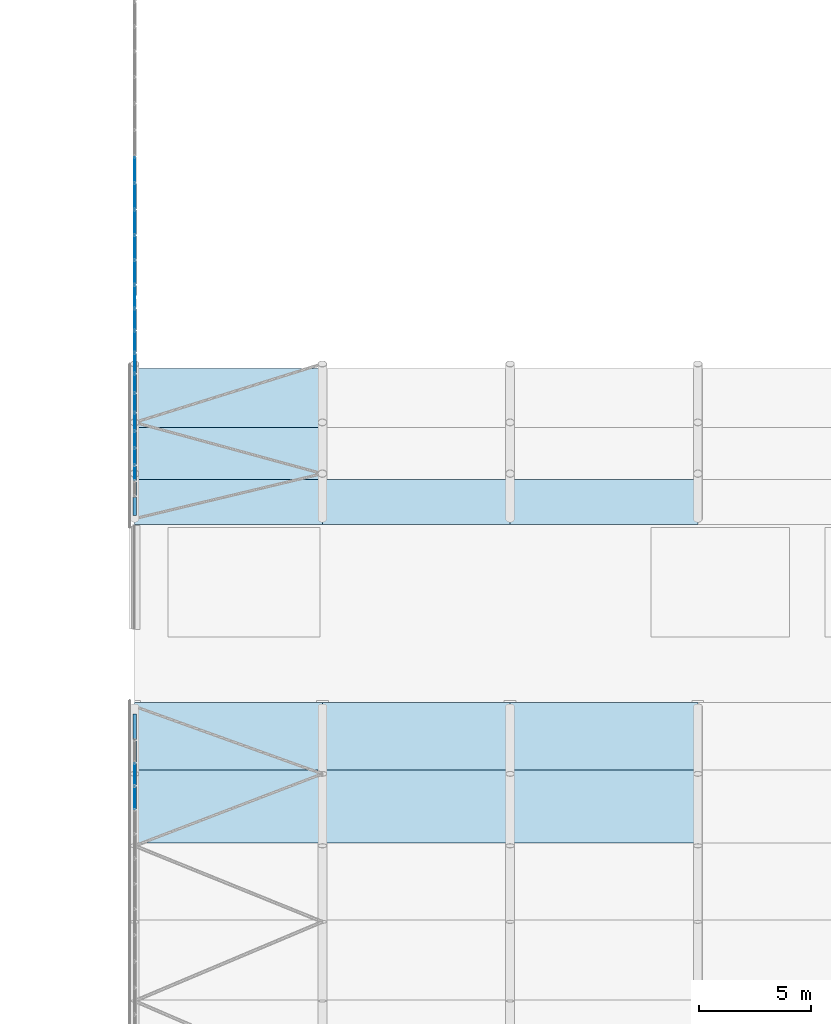
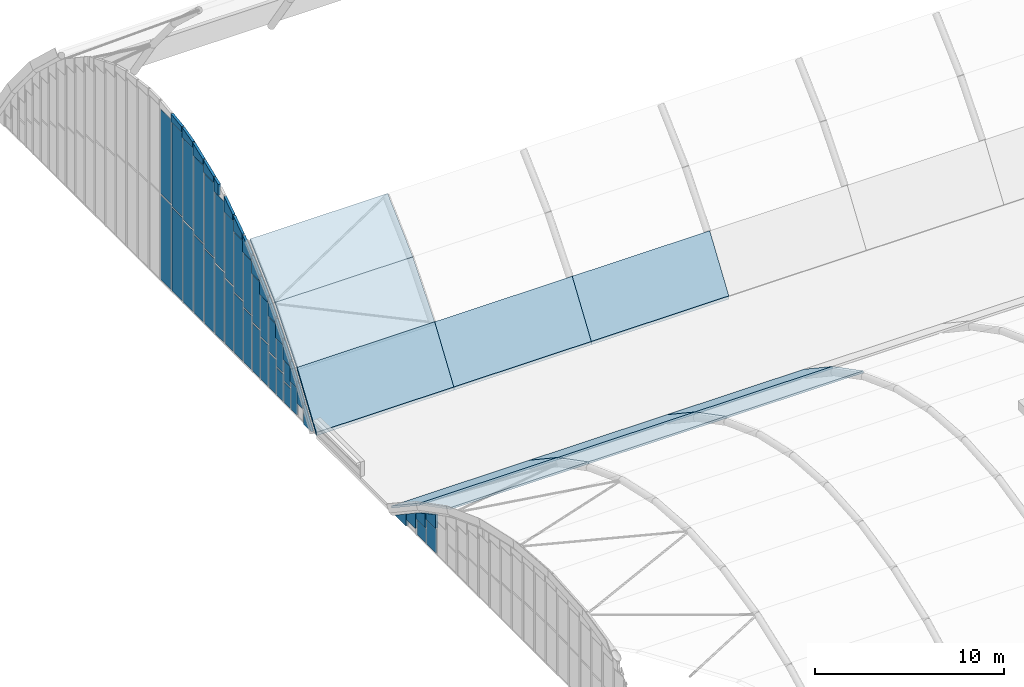
# One storey, part 54 of 77: 51 plates, 11 slabs, 2 elements without a shape of their own.
"""IFC4 building model written with IfcOpenShell, lengths in metres."""

from ifc_helpers import new_model, si_unit, direction, frame, origin, origin_2d, place, context, subcontext, project, spatial, polyline, rectangle, outline, extrude, material, layer, layer_set, type_object, element, aggregate, save


model = new_model("IFC4")

# Units and contexts
model_context = context("Model", 3, precision=1e-05, world=origin(), true_north=direction((0.0, 1.0)))
body_context = subcontext(model_context, "Body", "Model", "MODEL_VIEW")
ifc_project = project(units=[si_unit("LENGTHUNIT", "METRE"), si_unit("AREAUNIT", "SQUARE_METRE"), si_unit("VOLUMEUNIT", "CUBIC_METRE"), si_unit("PLANEANGLEUNIT", "RADIAN"), si_unit("MASSUNIT", "GRAM", prefix="KILO")], contexts=[model_context])

# Site, building, storey
site_placement = place(None, origin())
site = spatial("IfcSite", under=ifc_project, at=site_placement, CompositionType="ELEMENT")
building_placement = place(site_placement, origin())
building = spatial("IfcBuilding", under=site, at=building_placement, Name="Catenary Quay Ferry Terminal", CompositionType="ELEMENT")
storey_placement = place(building_placement, frame((0.0, 0.0, 10.800048828125)))
storey = spatial("IfcBuildingStorey", under=building, at=storey_placement, Name="L02", CompositionType="ELEMENT", Elevation=10.800048828125)

# Curtain wall, plates
ifc_material_1 = material(Name="Aluminium and glass", Category="aluminium")
curtain_wall_type = type_object("IfcCurtainWallType", Name="CWA", PredefinedType="NOTDEFINED", material=ifc_material_1)
curtain_wall_1_placement = place(storey_placement, origin())
curtain_wall_1 = element("IfcCurtainWall", 1, at=curtain_wall_1_placement, inside=storey, type_object=curtain_wall_type, Name="Arch arrivals hall curtain wall CW5", PredefinedType="NOTDEFINED")
ifc_material_2 = material(Name="Glass", Category="glass")
ifc_layer_1 = layer(ifc_material_2, 0.035888671875)
ifc_layer_set_1 = layer_set([ifc_layer_1], Name="PN4")
plate_type_1 = type_object("IfcPlateType", Name="PN4", PredefinedType="CURTAIN_PANEL", material=ifc_layer_set_1)
plate_1_placement = place(storey_placement, frame((25.199951171875, 96.708740234375, 0.10009765625), z_axis=(0.0, 0.0, 1.0), x_axis=(0.0, 1.0, 0.0)))
plate_1 = element("IfcPlate", 2, at=plate_1_placement, type_object=plate_type_1, Name="CW5 panel 25.1", PredefinedType="CURTAIN_PANEL", context=body_context, shape_type="SweptSolid", body=[
    extrude(rectangle(XDim=1.013427734375, YDim=0.035888671875, at=origin_2d()), origin(), (0.0, 0.0, 1.0), 1.531494140625),
])
plate_2_placement = place(storey_placement, frame((25.199951171875, 97.76513671875, 0.099853515625), z_axis=(0.0, 0.0, 1.0), x_axis=(0.0, 1.0, 0.0)))
plate_2 = element("IfcPlate", 3, at=plate_2_placement, type_object=plate_type_1, Name="CW5 panel 26.1", PredefinedType="CURTAIN_PANEL", context=body_context, shape_type="SweptSolid", body=[
    extrude(rectangle(XDim=0.979736328125, YDim=0.035888671875, at=origin_2d()), origin(), (0.0, 0.0, 1.0), 0.91748046875),
])

curtain_wall_2_placement = place(storey_placement, origin())
curtain_wall_2 = element("IfcCurtainWall", 4, at=curtain_wall_2_placement, inside=storey, type_object=curtain_wall_type, Name="Arch departure hall curtain wall CW17", PredefinedType="NOTDEFINED")
plate_3_placement = place(storey_placement, frame((25.199951171875, 111.238037109375, 0.099853515625), z_axis=(0.0, 0.0, 1.0), x_axis=(0.0, 1.0, 0.0)))
plate_3 = element("IfcPlate", 5, at=plate_3_placement, type_object=plate_type_1, Name="CW17 panel 2.1", PredefinedType="CURTAIN_PANEL", context=body_context, shape_type="SweptSolid", body=[
    extrude(rectangle(XDim=0.65771484375, YDim=0.035888671875, at=origin_2d()), origin(), (0.0, 0.0, 1.0), 1.7158203125),
])
plate_4_placement = place(storey_placement, frame((25.199951171875, 111.97900390625, 0.10009765625), z_axis=(0.0, 0.0, 1.0), x_axis=(0.0, 1.0, 0.0)))
plate_4 = element("IfcPlate", 6, at=plate_4_placement, type_object=plate_type_1, Name="CW17 panel 3.1", PredefinedType="CURTAIN_PANEL", context=body_context, shape_type="SweptSolid", body=[
    extrude(rectangle(XDim=0.7041015625, YDim=0.035888671875, at=origin_2d()), origin(), (0.0, 0.0, 1.0), 1.285888671875),
])
plate_5_placement = place(storey_placement, frame((25.199951171875, 111.97900390625, 1.48583984375), z_axis=(0.0, 0.0, 1.0), x_axis=(0.0, 1.0, 0.0)))
plate_5 = element("IfcPlate", 7, at=plate_5_placement, type_object=plate_type_1, Name="CW17 panel 3.2", PredefinedType="CURTAIN_PANEL", context=body_context, shape_type="SweptSolid", body=[
    extrude(rectangle(XDim=0.7041015625, YDim=0.035888671875, at=origin_2d()), origin(), (0.0, 0.0, 1.0), 1.285888671875),
])
plate_6_placement = place(storey_placement, frame((25.199951171875, 112.742919921875, 0.099853515625), z_axis=(0.0, 0.0, 1.0), x_axis=(0.0, 1.0, 0.0)))
plate_6 = element("IfcPlate", 8, at=plate_6_placement, type_object=plate_type_1, Name="CW17 panel 4.1", PredefinedType="CURTAIN_PANEL", context=body_context, shape_type="SweptSolid", body=[
    extrude(rectangle(XDim=0.7041015625, YDim=0.035888671875, at=origin_2d()), origin(), (0.0, 0.0, 1.0), 1.74658203125),
])
plate_7_placement = place(storey_placement, frame((25.199951171875, 112.742919921875, 1.9462890625), z_axis=(0.0, 0.0, 1.0), x_axis=(0.0, 1.0, 0.0)))
plate_7 = element("IfcPlate", 9, at=plate_7_placement, type_object=plate_type_1, Name="CW17 panel 4.2", PredefinedType="CURTAIN_PANEL", context=body_context, shape_type="SweptSolid", body=[
    extrude(rectangle(XDim=0.7041015625, YDim=0.035888671875, at=origin_2d()), origin(), (0.0, 0.0, 1.0), 1.74658203125),
])
plate_8_placement = place(storey_placement, frame((25.199951171875, 113.5341796875, 0.10009765625), z_axis=(0.0, 0.0, 1.0), x_axis=(0.0, 1.0, 0.0)))
plate_8 = element("IfcPlate", 10, at=plate_8_placement, type_object=plate_type_1, Name="CW17 panel 5.1", PredefinedType="CURTAIN_PANEL", context=body_context, shape_type="SweptSolid", body=[
    extrude(rectangle(XDim=0.758544921875, YDim=0.035888671875, at=origin_2d()), origin(), (0.0, 0.0, 1.0), 2.207275390625),
])
plate_9_placement = place(storey_placement, frame((25.199951171875, 113.5341796875, 2.4072265625), z_axis=(0.0, 0.0, 1.0), x_axis=(0.0, 1.0, 0.0)))
plate_9 = element("IfcPlate", 11, at=plate_9_placement, type_object=plate_type_1, Name="CW17 panel 5.2", PredefinedType="CURTAIN_PANEL", context=body_context, shape_type="SweptSolid", body=[
    extrude(rectangle(XDim=0.758544921875, YDim=0.035888671875, at=origin_2d()), origin(), (0.0, 0.0, 1.0), 2.207275390625),
])
plate_10_placement = place(storey_placement, frame((25.199951171875, 114.3798828125, 0.099853515625), z_axis=(0.0, 0.0, 1.0), x_axis=(0.0, 1.0, 0.0)))
plate_10 = element("IfcPlate", 12, at=plate_10_placement, type_object=plate_type_1, Name="CW17 panel 6.1", PredefinedType="CURTAIN_PANEL", context=body_context, shape_type="SweptSolid", body=[
    extrude(rectangle(XDim=0.81298828125, YDim=0.035888671875, at=origin_2d()), origin(), (0.0, 0.0, 1.0), 2.64208984375),
])
plate_11_placement = place(storey_placement, frame((25.199951171875, 114.3798828125, 2.842041015625), z_axis=(0.0, 0.0, 1.0), x_axis=(0.0, 1.0, 0.0)))
plate_11 = element("IfcPlate", 13, at=plate_11_placement, type_object=plate_type_1, Name="CW17 panel 6.2", PredefinedType="CURTAIN_PANEL", context=body_context, shape_type="SweptSolid", body=[
    extrude(rectangle(XDim=0.81298828125, YDim=0.035888671875, at=origin_2d()), origin(), (0.0, 0.0, 1.0), 2.64208984375),
])
plate_12_placement = place(storey_placement, frame((25.199951171875, 115.2529296875, 0.099853515625), z_axis=(0.0, 0.0, 1.0), x_axis=(0.0, 1.0, 0.0)))
plate_12 = element("IfcPlate", 14, at=plate_12_placement, type_object=plate_type_1, Name="CW17 panel 7.1", PredefinedType="CURTAIN_PANEL", context=body_context, shape_type="SweptSolid", body=[
    extrude(rectangle(XDim=0.81298828125, YDim=0.035888671875, at=origin_2d()), origin(), (0.0, 0.0, 1.0), 3.05126953125),
])
plate_13_placement = place(storey_placement, frame((25.199951171875, 115.2529296875, 3.251220703125), z_axis=(0.0, 0.0, 1.0), x_axis=(0.0, 1.0, 0.0)))
plate_13 = element("IfcPlate", 15, at=plate_13_placement, type_object=plate_type_1, Name="CW17 panel 7.2", PredefinedType="CURTAIN_PANEL", context=body_context, shape_type="SweptSolid", body=[
    extrude(rectangle(XDim=0.81298828125, YDim=0.035888671875, at=origin_2d()), origin(), (0.0, 0.0, 1.0), 3.05126953125),
])
plate_14_placement = place(storey_placement, frame((25.199951171875, 116.156494140625, 0.099853515625), z_axis=(0.0, 0.0, 1.0), x_axis=(0.0, 1.0, 0.0)))
plate_14 = element("IfcPlate", 16, at=plate_14_placement, type_object=plate_type_1, Name="CW17 panel 8.1", PredefinedType="CURTAIN_PANEL", context=body_context, shape_type="SweptSolid", body=[
    extrude(rectangle(XDim=0.873779296875, YDim=0.035888671875, at=origin_2d()), origin(), (0.0, 0.0, 1.0), 3.46044921875),
])
plate_15_placement = place(storey_placement, frame((25.199951171875, 116.156494140625, 3.660400390625), z_axis=(0.0, 0.0, 1.0), x_axis=(0.0, 1.0, 0.0)))
plate_15 = element("IfcPlate", 17, at=plate_15_placement, type_object=plate_type_1, Name="CW17 panel 8.2", PredefinedType="CURTAIN_PANEL", context=body_context, shape_type="SweptSolid", body=[
    extrude(rectangle(XDim=0.873779296875, YDim=0.035888671875, at=origin_2d()), origin(), (0.0, 0.0, 1.0), 3.46044921875),
])
plate_16_placement = place(storey_placement, frame((25.199951171875, 117.12060546875, 0.10009765625), z_axis=(0.0, 0.0, 1.0), x_axis=(0.0, 1.0, 0.0)))
plate_16 = element("IfcPlate", 18, at=plate_16_placement, type_object=plate_type_1, Name="CW17 panel 9.1", PredefinedType="CURTAIN_PANEL", context=body_context, shape_type="SweptSolid", body=[
    extrude(rectangle(XDim=0.9345703125, YDim=0.035888671875, at=origin_2d()), origin(), (0.0, 0.0, 1.0), 3.831298828125),
])
plate_17_placement = place(storey_placement, frame((25.199951171875, 117.12060546875, 4.03125), z_axis=(0.0, 0.0, 1.0), x_axis=(0.0, 1.0, 0.0)))
plate_17 = element("IfcPlate", 19, at=plate_17_placement, type_object=plate_type_1, Name="CW17 panel 9.2", PredefinedType="CURTAIN_PANEL", context=body_context, shape_type="SweptSolid", body=[
    extrude(rectangle(XDim=0.9345703125, YDim=0.035888671875, at=origin_2d()), origin(), (0.0, 0.0, 1.0), 3.831298828125),
])
plate_18_placement = place(storey_placement, frame((25.199951171875, 118.115234375, 0.10009765625), z_axis=(0.0, 0.0, 1.0), x_axis=(0.0, 1.0, 0.0)))
plate_18 = element("IfcPlate", 20, at=plate_18_placement, type_object=plate_type_1, Name="CW17 panel 10.1", PredefinedType="CURTAIN_PANEL", context=body_context, shape_type="SweptSolid", body=[
    extrude(rectangle(XDim=0.9345703125, YDim=0.035888671875, at=origin_2d()), origin(), (0.0, 0.0, 1.0), 4.164306640625),
])
plate_19_placement = place(storey_placement, frame((25.199951171875, 118.115234375, 4.3642578125), z_axis=(0.0, 0.0, 1.0), x_axis=(0.0, 1.0, 0.0)))
plate_19 = element("IfcPlate", 21, at=plate_19_placement, type_object=plate_type_1, Name="CW17 panel 10.2", PredefinedType="CURTAIN_PANEL", context=body_context, shape_type="SweptSolid", body=[
    extrude(rectangle(XDim=0.9345703125, YDim=0.035888671875, at=origin_2d()), origin(), (0.0, 0.0, 1.0), 4.164306640625),
])
plate_20_placement = place(storey_placement, frame((25.199951171875, 119.138916015625, 0.099853515625), z_axis=(0.0, 0.0, 1.0), x_axis=(0.0, 1.0, 0.0)))
plate_20 = element("IfcPlate", 22, at=plate_20_placement, type_object=plate_type_1, Name="CW17 panel 11.1", PredefinedType="CURTAIN_PANEL", context=body_context, shape_type="SweptSolid", body=[
    extrude(rectangle(XDim=0.992431640625, YDim=0.035888671875, at=origin_2d()), origin(), (0.0, 0.0, 1.0), 4.4970703125),
])
plate_21_placement = place(storey_placement, frame((25.199951171875, 119.138916015625, 4.697021484375), z_axis=(0.0, 0.0, 1.0), x_axis=(0.0, 1.0, 0.0)))
plate_21 = element("IfcPlate", 23, at=plate_21_placement, type_object=plate_type_1, Name="CW17 panel 11.2", PredefinedType="CURTAIN_PANEL", context=body_context, shape_type="SweptSolid", body=[
    extrude(rectangle(XDim=0.992431640625, YDim=0.035888671875, at=origin_2d()), origin(), (0.0, 0.0, 1.0), 4.4970703125),
])
plate_22_placement = place(storey_placement, frame((25.199951171875, 120.22021484375, 0.099853515625), z_axis=(0.0, 0.0, 1.0), x_axis=(0.0, 1.0, 0.0)))
plate_22 = element("IfcPlate", 24, at=plate_22_placement, type_object=plate_type_1, Name="CW17 panel 12.1", PredefinedType="CURTAIN_PANEL", context=body_context, shape_type="SweptSolid", body=[
    extrude(rectangle(XDim=1.05029296875, YDim=0.035888671875, at=origin_2d()), origin(), (0.0, 0.0, 1.0), 4.77490234375),
])
plate_23_placement = place(storey_placement, frame((25.199951171875, 120.22021484375, 4.974853515625), z_axis=(0.0, 0.0, 1.0), x_axis=(0.0, 1.0, 0.0)))
plate_23 = element("IfcPlate", 25, at=plate_23_placement, type_object=plate_type_1, Name="CW17 panel 12.2", PredefinedType="CURTAIN_PANEL", context=body_context, shape_type="SweptSolid", body=[
    extrude(rectangle(XDim=1.05029296875, YDim=0.035888671875, at=origin_2d()), origin(), (0.0, 0.0, 1.0), 4.77490234375),
])
plate_24_placement = place(storey_placement, frame((25.199951171875, 121.33056640625, 0.10009765625), z_axis=(0.0, 0.0, 1.0), x_axis=(0.0, 1.0, 0.0)))
plate_24 = element("IfcPlate", 26, at=plate_24_placement, type_object=plate_type_1, Name="CW17 panel 13.1", PredefinedType="CURTAIN_PANEL", context=body_context, shape_type="SweptSolid", body=[
    extrude(rectangle(XDim=1.05029296875, YDim=0.035888671875, at=origin_2d()), origin(), (0.0, 0.0, 1.0), 4.997802734375),
])
plate_25_placement = place(storey_placement, frame((25.199951171875, 121.33056640625, 5.19775390625), z_axis=(0.0, 0.0, 1.0), x_axis=(0.0, 1.0, 0.0)))
plate_25 = element("IfcPlate", 27, at=plate_25_placement, type_object=plate_type_1, Name="CW17 panel 13.2", PredefinedType="CURTAIN_PANEL", context=body_context, shape_type="SweptSolid", body=[
    extrude(rectangle(XDim=1.05029296875, YDim=0.035888671875, at=origin_2d()), origin(), (0.0, 0.0, 1.0), 4.997802734375),
])
plate_26_placement = place(storey_placement, frame((25.199951171875, 122.4599609375, 0.099853515625), z_axis=(0.0, 0.0, 1.0), x_axis=(0.0, 1.0, 0.0)))
plate_26 = element("IfcPlate", 28, at=plate_26_placement, type_object=plate_type_1, Name="CW17 panel 14.1", PredefinedType="CURTAIN_PANEL", context=body_context, shape_type="SweptSolid", body=[
    extrude(rectangle(XDim=1.08837890625, YDim=0.035888671875, at=origin_2d()), origin(), (0.0, 0.0, 1.0), 5.220703125),
])
plate_27_placement = place(storey_placement, frame((25.199951171875, 122.4599609375, 5.42041015625), z_axis=(0.0, 0.0, 1.0), x_axis=(0.0, 1.0, 0.0)))
plate_27 = element("IfcPlate", 29, at=plate_27_placement, type_object=plate_type_1, Name="CW17 panel 14.2", PredefinedType="CURTAIN_PANEL", context=body_context, shape_type="SweptSolid", body=[
    extrude(rectangle(XDim=1.08837890625, YDim=0.035888671875, at=origin_2d()), origin(), (0.0, 0.0, 1.0), 5.220703125),
])
plate_28_placement = place(storey_placement, frame((25.199951171875, 123.62744140625, 0.10009765625), z_axis=(0.0, 0.0, 1.0), x_axis=(0.0, 1.0, 0.0)))
plate_28 = element("IfcPlate", 30, at=plate_28_placement, type_object=plate_type_1, Name="CW17 panel 15.1", PredefinedType="CURTAIN_PANEL", context=body_context, shape_type="SweptSolid", body=[
    extrude(rectangle(XDim=1.126220703125, YDim=0.035888671875, at=origin_2d()), origin(), (0.0, 0.0, 1.0), 5.37158203125),
])
plate_29_placement = place(storey_placement, frame((25.199951171875, 123.62744140625, 5.57177734375), z_axis=(0.0, 0.0, 1.0), x_axis=(0.0, 1.0, 0.0)))
plate_29 = element("IfcPlate", 31, at=plate_29_placement, type_object=plate_type_1, Name="CW17 panel 15.2", PredefinedType="CURTAIN_PANEL", context=body_context, shape_type="SweptSolid", body=[
    extrude(rectangle(XDim=1.126220703125, YDim=0.035888671875, at=origin_2d()), origin(), (0.0, 0.0, 1.0), 5.37158203125),
])
plate_30_placement = place(storey_placement, frame((25.199951171875, 124.813720703125, 0.10009765625), z_axis=(0.0, 0.0, 1.0), x_axis=(0.0, 1.0, 0.0)))
plate_30 = element("IfcPlate", 32, at=plate_30_placement, type_object=plate_type_1, Name="CW17 panel 16.1", PredefinedType="CURTAIN_PANEL", context=body_context, shape_type="SweptSolid", body=[
    extrude(rectangle(XDim=1.126220703125, YDim=0.035888671875, at=origin_2d()), origin(), (0.0, 0.0, 1.0), 5.450927734375),
])
plate_31_placement = place(storey_placement, frame((25.199951171875, 124.813720703125, 5.65087890625), z_axis=(0.0, 0.0, 1.0), x_axis=(0.0, 1.0, 0.0)))
plate_31 = element("IfcPlate", 33, at=plate_31_placement, type_object=plate_type_1, Name="CW17 panel 16.2", PredefinedType="CURTAIN_PANEL", context=body_context, shape_type="SweptSolid", body=[
    extrude(rectangle(XDim=1.126220703125, YDim=0.035888671875, at=origin_2d()), origin(), (0.0, 0.0, 1.0), 5.450927734375),
])

# Plate
ifc_material_3 = material(Name="Ceramic tile facing on insulated backing")
ifc_layer_2 = layer(ifc_material_3, 0.14990234375)
ifc_layer_set_2 = layer_set([ifc_layer_2], Name="PN7")
plate_type_2 = type_object("IfcPlateType", Name="PN7", PredefinedType="CURTAIN_PANEL", material=ifc_layer_set_2)
plate_32_placement = place(storey_placement, frame((25.199951171875, 96.201904296875, 1.7314453125), z_axis=(0.0, 0.0, 1.0), x_axis=(0.0, 1.0, 0.0)))
plate_32 = element("IfcPlate", 34, at=plate_32_placement, type_object=plate_type_2, Name="CW5 spandrel panel 28", PredefinedType="CURTAIN_PANEL", context=body_context, shape_type="SweptSolid", body=[
    extrude(outline(polyline([(0.0, 0.0), (1.013427734375, 0.0), (1.013427734375, 0.35546875), (0.0, 0.88134765625), (0.0, 0.0)])), frame((0.0, 0.074951171875, 0.0), z_axis=(0.0, -1.0, 0.0), x_axis=(1.0, 0.0, 0.0)), (0.0, 0.0, 1.0), 0.14990234375),
])

plate_33_placement = place(storey_placement, frame((25.199951171875, 97.275390625, 1.117431640625), z_axis=(0.0, 0.0, 1.0), x_axis=(0.0, 1.0, 0.0)))
plate_33 = element("IfcPlate", 35, at=plate_33_placement, type_object=plate_type_2, Name="CW5 spandrel panel 29", PredefinedType="CURTAIN_PANEL", context=body_context, shape_type="SweptSolid", body=[
    extrude(outline(polyline([(0.0, 0.0), (0.979736328125, 0.0), (0.979736328125, 0.360107421875), (0.0, 0.9384765625), (0.0, 0.0)])), frame((0.0, 0.074951171875, 0.0), z_axis=(0.0, -1.0, 0.0), x_axis=(1.0, 0.0, 0.0)), (0.0, 0.0, 1.0), 0.14990234375),
])

plate_34_placement = place(storey_placement, frame((25.199951171875, 98.31494140625, 0.446533203125), z_axis=(0.0, 0.0, 1.0), x_axis=(0.0, 1.0, 0.0)))
plate_34 = element("IfcPlate", 36, at=plate_34_placement, type_object=plate_type_2, Name="CW5 spandrel panel 30", PredefinedType="CURTAIN_PANEL", context=body_context, shape_type="SweptSolid", body=[
    extrude(outline(polyline([(0.0, 0.0), (0.946044921875, 0.0), (0.946044921875, 0.35986328125), (0.0, 0.990966796875), (0.0, 0.0)])), frame((0.0, 0.074951171875, 0.0), z_axis=(0.0, -1.0, 0.0), x_axis=(1.0, 0.0, 0.0)), (0.0, 0.0, 1.0), 0.14990234375),
])

plate_35_placement = place(storey_placement, frame((25.199951171875, 99.321044921875, 0.0), z_axis=(0.0, 0.0, 1.0), x_axis=(0.0, 1.0, 0.0)))
plate_35 = element("IfcPlate", 37, at=plate_35_placement, type_object=plate_type_2, Name="CW5 spandrel panel 31", PredefinedType="CURTAIN_PANEL", context=body_context, shape_type="SweptSolid", body=[
    extrude(outline(polyline([(0.0, 0.0), (1.47900390625, 0.0), (1.47900390625, -0.219970703125), (0.0, 0.766357421875), (0.0, 0.0)])), frame((0.0, 0.074951171875, 0.0), z_axis=(0.0, -1.0, 0.0), x_axis=(1.0, 0.0, 0.0)), (0.0, 0.0, 1.0), 0.14990234375),
])

aggregate(curtain_wall_1, [plate_1, plate_32, plate_2, plate_33, plate_34, plate_35])

plate_36_placement = place(storey_placement, frame((25.199951171875, 109.34912109375, 0.0), z_axis=(0.0, 0.0, 1.0), x_axis=(0.0, 1.0, 0.0)))
plate_36 = element("IfcPlate", 38, at=plate_36_placement, type_object=plate_type_2, Name="CW17 spandrel panel 1", PredefinedType="CURTAIN_PANEL", context=body_context, shape_type="SweptSolid", body=[
    extrude(outline(polyline([(0.0, 0.0), (0.828369140625, 0.0), (0.828369140625, 1.22119140625), (0.0, 0.0)])), frame((0.0, 0.074951171875, 0.0), z_axis=(0.0, -1.0, 0.0), x_axis=(1.0, 0.0, 0.0)), (0.0, 0.0, 1.0), 0.14990234375),
])

plate_37_placement = place(storey_placement, frame((25.199951171875, 110.237548828125, 0.925537109375), z_axis=(0.0, 0.0, 1.0), x_axis=(0.0, 1.0, 0.0)))
plate_37 = element("IfcPlate", 39, at=plate_37_placement, type_object=plate_type_2, Name="CW17 spandrel panel 2", PredefinedType="CURTAIN_PANEL", context=body_context, shape_type="SweptSolid", body=[
    extrude(outline(polyline([(0.0, 0.0), (0.611572265625, 0.0), (0.611572265625, 1.2861328125), (0.0, 0.384033203125), (0.0, 0.0)])), frame((0.0, 0.074951171875, 0.0), z_axis=(0.0, -1.0, 0.0), x_axis=(1.0, 0.0, 0.0)), (0.0, 0.0, 1.0), 0.14990234375),
])

plate_38_placement = place(storey_placement, frame((25.199951171875, 110.9091796875, 1.915771484375), z_axis=(0.0, 0.0, 1.0), x_axis=(0.0, 1.0, 0.0)))
plate_38 = element("IfcPlate", 40, at=plate_38_placement, type_object=plate_type_2, Name="CW17 spandrel panel 3", PredefinedType="CURTAIN_PANEL", context=body_context, shape_type="SweptSolid", body=[
    extrude(outline(polyline([(0.0, 0.0), (0.65771484375, 0.0), (0.65771484375, 1.259765625), (0.0, 0.38427734375), (0.0, 0.0)])), frame((0.0, 0.074951171875, 0.0), z_axis=(0.0, -1.0, 0.0), x_axis=(1.0, 0.0, 0.0)), (0.0, 0.0, 1.0), 0.14990234375),
])

plate_39_placement = place(storey_placement, frame((25.199951171875, 111.626953125, 2.87158203125), z_axis=(0.0, 0.0, 1.0), x_axis=(0.0, 1.0, 0.0)))
plate_39 = element("IfcPlate", 41, at=plate_39_placement, type_object=plate_type_2, Name="CW17 spandrel panel 4", PredefinedType="CURTAIN_PANEL", context=body_context, shape_type="SweptSolid", body=[
    extrude(outline(polyline([(0.0, 0.0), (0.7041015625, 0.0), (0.7041015625, 1.22509765625), (0.0, 0.376220703125), (0.0, 0.0)])), frame((0.0, 0.074951171875, 0.0), z_axis=(0.0, -1.0, 0.0), x_axis=(1.0, 0.0, 0.0)), (0.0, 0.0, 1.0), 0.14990234375),
])

plate_40_placement = place(storey_placement, frame((25.199951171875, 112.39111328125, 3.79296875), z_axis=(0.0, 0.0, 1.0), x_axis=(0.0, 1.0, 0.0)))
plate_40 = element("IfcPlate", 42, at=plate_40_placement, type_object=plate_type_2, Name="CW17 spandrel panel 5", PredefinedType="CURTAIN_PANEL", context=body_context, shape_type="SweptSolid", body=[
    extrude(outline(polyline([(0.0, 0.0), (0.7041015625, 0.0), (0.7041015625, 1.22509765625), (0.0, 0.376220703125), (0.0, 0.0)])), frame((0.0, 0.074951171875, 0.0), z_axis=(0.0, -1.0, 0.0), x_axis=(1.0, 0.0, 0.0)), (0.0, 0.0, 1.0), 0.14990234375),
])

plate_41_placement = place(storey_placement, frame((25.199951171875, 113.155029296875, 4.71435546875), z_axis=(0.0, 0.0, 1.0), x_axis=(0.0, 1.0, 0.0)))
plate_41 = element("IfcPlate", 43, at=plate_41_placement, type_object=plate_type_2, Name="CW17 spandrel panel 6", PredefinedType="CURTAIN_PANEL", context=body_context, shape_type="SweptSolid", body=[
    extrude(outline(polyline([(0.0, 0.0), (0.758544921875, 0.0), (0.758544921875, 1.181640625), (0.0, 0.376220703125), (0.0, 0.0)])), frame((0.0, 0.074951171875, 0.0), z_axis=(0.0, -1.0, 0.0), x_axis=(1.0, 0.0, 0.0)), (0.0, 0.0, 1.0), 0.14990234375),
])

plate_42_placement = place(storey_placement, frame((25.199951171875, 113.973388671875, 5.584228515625), z_axis=(0.0, 0.0, 1.0), x_axis=(0.0, 1.0, 0.0)))
plate_42 = element("IfcPlate", 44, at=plate_42_placement, type_object=plate_type_2, Name="CW17 spandrel panel 7", PredefinedType="CURTAIN_PANEL", context=body_context, shape_type="SweptSolid", body=[
    extrude(outline(polyline([(0.0, 0.0), (0.81298828125, 0.0), (0.81298828125, 1.130126953125), (0.0, 0.367919921875), (0.0, 0.0)])), frame((0.0, 0.074951171875, 0.0), z_axis=(0.0, -1.0, 0.0), x_axis=(1.0, 0.0, 0.0)), (0.0, 0.0, 1.0), 0.14990234375),
])

plate_43_placement = place(storey_placement, frame((25.199951171875, 114.846435546875, 6.40234375), z_axis=(0.0, 0.0, 1.0), x_axis=(0.0, 1.0, 0.0)))
plate_43 = element("IfcPlate", 45, at=plate_43_placement, type_object=plate_type_2, Name="CW17 spandrel panel 8", PredefinedType="CURTAIN_PANEL", context=body_context, shape_type="SweptSolid", body=[
    extrude(outline(polyline([(0.0, 0.0), (0.81298828125, 0.0), (0.81298828125, 1.13037109375), (0.0, 0.3681640625), (0.0, 0.0)])), frame((0.0, 0.074951171875, 0.0), z_axis=(0.0, -1.0, 0.0), x_axis=(1.0, 0.0, 0.0)), (0.0, 0.0, 1.0), 0.14990234375),
])

plate_44_placement = place(storey_placement, frame((25.199951171875, 115.719482421875, 7.220703125), z_axis=(0.0, 0.0, 1.0), x_axis=(0.0, 1.0, 0.0)))
plate_44 = element("IfcPlate", 46, at=plate_44_placement, type_object=plate_type_2, Name="CW17 spandrel panel 9", PredefinedType="CURTAIN_PANEL", context=body_context, shape_type="SweptSolid", body=[
    extrude(outline(polyline([(0.0, 0.0), (0.873779296875, 0.0), (0.873779296875, 1.06201171875), (0.0, 0.3681640625), (0.0, 0.0)])), frame((0.0, 0.074951171875, 0.0), z_axis=(0.0, -1.0, 0.0), x_axis=(1.0, 0.0, 0.0)), (0.0, 0.0, 1.0), 0.14990234375),
])

plate_45_placement = place(storey_placement, frame((25.199951171875, 116.6533203125, 7.962890625), z_axis=(0.0, 0.0, 1.0), x_axis=(0.0, 1.0, 0.0)))
plate_45 = element("IfcPlate", 47, at=plate_45_placement, type_object=plate_type_2, Name="CW17 spandrel panel 10", PredefinedType="CURTAIN_PANEL", context=body_context, shape_type="SweptSolid", body=[
    extrude(outline(polyline([(0.0, 0.0), (0.9345703125, 0.0), (0.9345703125, 0.985595703125), (0.0, 0.35986328125), (0.0, 0.0)])), frame((0.0, 0.074951171875, 0.0), z_axis=(0.0, -1.0, 0.0), x_axis=(1.0, 0.0, 0.0)), (0.0, 0.0, 1.0), 0.14990234375),
])

plate_46_placement = place(storey_placement, frame((25.199951171875, 117.64794921875, 8.62841796875), z_axis=(0.0, 0.0, 1.0), x_axis=(0.0, 1.0, 0.0)))
plate_46 = element("IfcPlate", 48, at=plate_46_placement, type_object=plate_type_2, Name="CW17 spandrel panel 11", PredefinedType="CURTAIN_PANEL", context=body_context, shape_type="SweptSolid", body=[
    extrude(outline(polyline([(0.0, 0.0), (0.9345703125, 0.0), (0.9345703125, 0.985595703125), (0.0, 0.360107421875), (0.0, 0.0)])), frame((0.0, 0.074951171875, 0.0), z_axis=(0.0, -1.0, 0.0), x_axis=(1.0, 0.0, 0.0)), (0.0, 0.0, 1.0), 0.14990234375),
])

plate_47_placement = place(storey_placement, frame((25.199951171875, 119.18505859375, 9.294189453125), z_axis=(0.0, 0.0, 1.0), x_axis=(0.0, 1.0, 0.0)))
plate_47 = element("IfcPlate", 49, at=plate_47_placement, type_object=plate_type_2, Name="CW17 spandrel panel 13", PredefinedType="CURTAIN_PANEL", context=body_context, shape_type="SweptSolid", body=[
    extrude(outline(polyline([(0.0, 0.0), (0.4501953125, 0.0), (0.4501953125, 0.883544921875), (0.0, 0.702880859375), (0.0, 0.0)])), frame((0.0, 0.074951171875, 0.0), z_axis=(0.0, -1.0, 0.0), x_axis=(1.0, 0.0, 0.0)), (0.0, 0.0, 1.0), 0.14990234375),
])

plate_48_placement = place(storey_placement, frame((25.199951171875, 119.695068359375, 9.849853515625), z_axis=(0.0, 0.0, 1.0), x_axis=(0.0, 1.0, 0.0)))
plate_48 = element("IfcPlate", 50, at=plate_48_placement, type_object=plate_type_2, Name="CW17 spandrel panel 14", PredefinedType="CURTAIN_PANEL", context=body_context, shape_type="SweptSolid", body=[
    extrude(outline(polyline([(0.0, 0.0), (1.05029296875, 0.0), (1.05029296875, 0.7734375), (0.0, 0.35205078125), (0.0, 0.0)])), frame((0.0, 0.074951171875, 0.0), z_axis=(0.0, -1.0, 0.0), x_axis=(1.0, 0.0, 0.0)), (0.0, 0.0, 1.0), 0.14990234375),
])

plate_49_placement = place(storey_placement, frame((25.199951171875, 120.805419921875, 10.29541015625), z_axis=(0.0, 0.0, 1.0), x_axis=(0.0, 1.0, 0.0)))
plate_49 = element("IfcPlate", 51, at=plate_49_placement, type_object=plate_type_2, Name="CW17 spandrel panel 15", PredefinedType="CURTAIN_PANEL", context=body_context, shape_type="SweptSolid", body=[
    extrude(outline(polyline([(0.0, 0.0), (1.05029296875, 0.0), (1.05029296875, 0.773681640625), (0.0, 0.35205078125), (0.0, 0.0)])), frame((0.0, 0.074951171875, 0.0), z_axis=(0.0, -1.0, 0.0), x_axis=(1.0, 0.0, 0.0)), (0.0, 0.0, 1.0), 0.14990234375),
])

plate_50_placement = place(storey_placement, frame((25.199951171875, 121.915771484375, 10.7412109375), z_axis=(0.0, 0.0, 1.0), x_axis=(0.0, 1.0, 0.0)))
plate_50 = element("IfcPlate", 52, at=plate_50_placement, type_object=plate_type_2, Name="CW17 spandrel panel 16", PredefinedType="CURTAIN_PANEL", context=body_context, shape_type="SweptSolid", body=[
    extrude(outline(polyline([(0.0, 0.0), (1.08837890625, 0.0), (1.08837890625, 0.637939453125), (0.0, 0.35205078125), (0.0, 0.0)])), frame((0.0, 0.074951171875, 0.0), z_axis=(0.0, -1.0, 0.0), x_axis=(1.0, 0.0, 0.0)), (0.0, 0.0, 1.0), 0.14990234375),
])

plate_51_placement = place(storey_placement, frame((25.199951171875, 123.064208984375, 11.043212890625), z_axis=(0.0, 0.0, 1.0), x_axis=(0.0, 1.0, 0.0)))
plate_51 = element("IfcPlate", 53, at=plate_51_placement, type_object=plate_type_2, Name="CW17 spandrel panel 17", PredefinedType="CURTAIN_PANEL", context=body_context, shape_type="SweptSolid", body=[
    extrude(outline(polyline([(0.0, 0.0), (1.126220703125, 0.0), (1.126220703125, 0.49462890625), (0.0, 0.343994140625), (0.0, 0.0)])), frame((0.0, 0.074951171875, 0.0), z_axis=(0.0, -1.0, 0.0), x_axis=(1.0, 0.0, 0.0)), (0.0, 0.0, 1.0), 0.14990234375),
])

aggregate(curtain_wall_2, [plate_36, plate_37, plate_3, plate_38, plate_4, plate_5, plate_39, plate_6, plate_7, plate_40, plate_8, plate_9, plate_41, plate_10, plate_11, plate_42, plate_12, plate_13, plate_43, plate_14, plate_15, plate_44, plate_16, plate_17, plate_45, plate_18, plate_19, plate_46, plate_20, plate_21, plate_47, plate_22, plate_23, plate_48, plate_24, plate_25, plate_49, plate_26, plate_27, plate_50, plate_28, plate_29, plate_51, plate_30, plate_31])

# Slabs
ifc_material_4 = material(Name="Concrete C35/45", Category="concrete")
ifc_layer_3 = layer(ifc_material_4, 0.1201171875)
ifc_layer_set_3 = layer_set([ifc_layer_3], Name="Thin concrete shell roof slab C35/45 120")
slab_type = type_object("IfcSlabType", Name="Thin concrete shell roof slab C35/45 120", PredefinedType="ROOF", material=ifc_layer_set_3)
slab_1_placement = place(storey_placement, frame((25.199951171875, 108.9326171875, 0.181396484375), z_axis=(0.0, -0.827617329407, 0.561292754332), x_axis=(1.0, 0.0, 0.0)))
element("IfcSlab", 54, at=slab_1_placement, inside=storey, type_object=slab_type, Name="Roof shell panel VD-01-01", PredefinedType="ROOF", context=body_context, shape_type="SweptSolid", body=[
    extrude(outline(polyline([(0.0, 0.0), (8.400146484375, 0.0), (8.400146484375, 3.605394199381717), (0.0, 3.605394199381717), (0.0, 0.0)])), origin(), (0.0, -0.827617329407, -0.561292754332), 0.2138671875),
])
slab_2_placement = place(storey_placement, frame((25.199951171875, 110.956298828125, 3.165283203125), z_axis=(0.0, -0.769753119494, 0.638341707105), x_axis=(1.0, 0.0, 0.0)))
element("IfcSlab", 55, at=slab_2_placement, inside=storey, type_object=slab_type, Name="Roof shell panel VD-01-02", PredefinedType="ROOF", context=body_context, shape_type="SweptSolid", body=[
    extrude(outline(polyline([(0.0, 0.0), (8.400146484375, 0.0), (8.400146484375, 3.626492489028446), (0.0, 3.626492489028446), (0.0, 0.0)])), origin(), (0.0, -0.769753119494, -0.638341707105), 0.18798828125),
])
slab_3_placement = place(storey_placement, frame((25.199951171875, 113.271240234375, 5.956787109375), z_axis=(0.0, -0.683912096655, 0.729564420767), x_axis=(1.0, 0.0, 0.0)))
element("IfcSlab", 56, at=slab_3_placement, inside=storey, type_object=slab_type, Name="Roof shell panel VD-01-03", PredefinedType="ROOF", context=body_context, shape_type="SweptSolid", body=[
    extrude(outline(polyline([(0.0, 0.0), (8.400146484375, 0.0), (8.400146484375, 3.636520773705697), (0.0, 3.636520773705697), (0.0, 0.0)])), origin(), (0.0, -0.683912096655, -0.729564420767), 0.16455078125),
])
for number, where, z_axis, x_axis, name in (
    (57, (33.60009765625, 108.9326171875, 0.181396484375), (0.0, -0.827617329407, 0.561292754332), (1.0, 0.0, 0.0), "Roof shell panel VD-02-01"),
    (58, (42.0, 108.9326171875, 0.181396484375), (0.0, -0.827617329407, 0.561292754332), (1.0, 0.0, 0.0), "Roof shell panel VD-03-01"),
):
    element("IfcSlab", number, at=place(storey_placement, frame(where, z_axis=z_axis, x_axis=x_axis)), inside=storey, type_object=slab_type, Name=name, PredefinedType="ROOF", context=body_context, shape_type="SweptSolid", body=[
        extrude(outline(polyline([(0.0, 0.0), (8.39990234375, 0.0), (8.39990234375, 3.605394199381718), (0.0, 3.605394199381718), (0.0, 0.0)])), origin(), (0.0, -0.827617329407, -0.561292754332), 0.2138671875),
    ])
slab_4_placement = place(storey_placement, frame((25.199951171875, 94.693115234375, 3.97998046875), z_axis=(0.0, 0.460591277623, 0.887612344989), x_axis=(1.0, 0.0, 0.0)))
element("IfcSlab", 59, at=slab_4_placement, inside=storey, type_object=slab_type, Name="Roof shell panel VA-01-09", PredefinedType="ROOF", context=body_context, shape_type="SweptSolid", body=[
    extrude(outline(polyline([(0.0, 0.0), (8.400146484375, 0.0), (8.400146484375, 3.6653590805888725), (0.0, 3.6653590805888725), (0.0, 0.0)])), origin(), (0.0, 0.460591277623, -0.887612344989), 0.13525390625),
])
slab_5_placement = place(storey_placement, frame((25.199951171875, 97.946533203125, 2.291748046875), z_axis=(0.0, 0.554916543304, 0.831906022317), x_axis=(1.0, 0.0, 0.0)))
element("IfcSlab", 60, at=slab_5_placement, inside=storey, type_object=slab_type, Name="Roof shell panel VA-01-10", PredefinedType="ROOF", context=body_context, shape_type="SweptSolid", body=[
    extrude(outline(polyline([(0.0, 0.0), (8.400146484375, 0.0), (8.400146484375, 3.6455017302345123), (0.0, 3.6455017302345123), (0.0, 0.0)])), origin(), (0.0, 0.554916543304, -0.831906022317), 0.144287109375),
])
slab_6_placement = place(storey_placement, frame((33.60009765625, 94.693115234375, 3.97998046875), z_axis=(0.0, 0.460591277623, 0.887612344989), x_axis=(1.0, 0.0, 0.0)))
element("IfcSlab", 61, at=slab_6_placement, inside=storey, type_object=slab_type, Name="Roof shell panel VA-02-09", PredefinedType="ROOF", context=body_context, shape_type="SweptSolid", body=[
    extrude(outline(polyline([(0.0, 0.0), (8.39990234375, 0.0), (8.39990234375, 3.6653590805888725), (0.0, 3.6653590805888725), (0.0, 0.0)])), origin(), (0.0, 0.460591277623, -0.887612344989), 0.13525390625),
])
slab_7_placement = place(storey_placement, frame((33.60009765625, 97.946533203125, 2.291748046875), z_axis=(0.0, 0.554916543304, 0.831906022317), x_axis=(1.0, 0.0, 0.0)))
element("IfcSlab", 62, at=slab_7_placement, inside=storey, type_object=slab_type, Name="Roof shell panel VA-02-10", PredefinedType="ROOF", context=body_context, shape_type="SweptSolid", body=[
    extrude(outline(polyline([(0.0, 0.0), (8.39990234375, 0.0), (8.39990234375, 3.6455017302345123), (0.0, 3.6455017302345123), (0.0, 0.0)])), origin(), (0.0, 0.554916543304, -0.831906022317), 0.144287109375),
])
slab_8_placement = place(storey_placement, frame((42.0, 94.693115234375, 3.97998046875), z_axis=(0.0, 0.460591277623, 0.887612344989), x_axis=(1.0, 0.0, 0.0)))
element("IfcSlab", 63, at=slab_8_placement, inside=storey, type_object=slab_type, Name="Roof shell panel VA-03-09", PredefinedType="ROOF", context=body_context, shape_type="SweptSolid", body=[
    extrude(outline(polyline([(0.0, 0.0), (8.39990234375, 0.0), (8.39990234375, 3.6653590805888725), (0.0, 3.6653590805888725), (0.0, 0.0)])), origin(), (0.0, 0.460591277623, -0.887612344989), 0.13525390625),
])
slab_9_placement = place(storey_placement, frame((42.0, 97.946533203125, 2.291748046875), z_axis=(0.0, 0.554916543304, 0.831906022317), x_axis=(1.0, 0.0, 0.0)))
element("IfcSlab", 64, at=slab_9_placement, inside=storey, type_object=slab_type, Name="Roof shell panel VA-03-10", PredefinedType="ROOF", context=body_context, shape_type="SweptSolid", body=[
    extrude(outline(polyline([(0.0, 0.0), (8.39990234375, 0.0), (8.39990234375, 3.6455017302345123), (0.0, 3.6455017302345123), (0.0, 0.0)])), origin(), (0.0, 0.554916543304, -0.831906022317), 0.144287109375),
])

save(model, "model.ifc")
